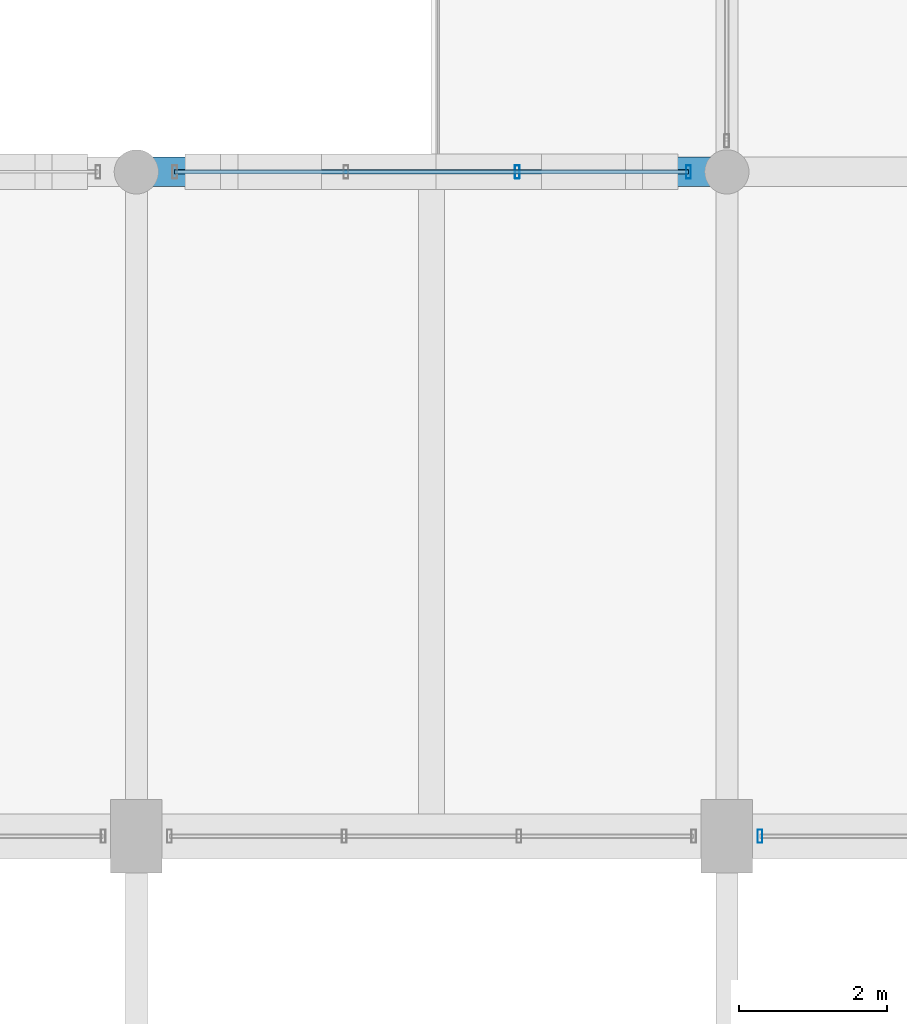
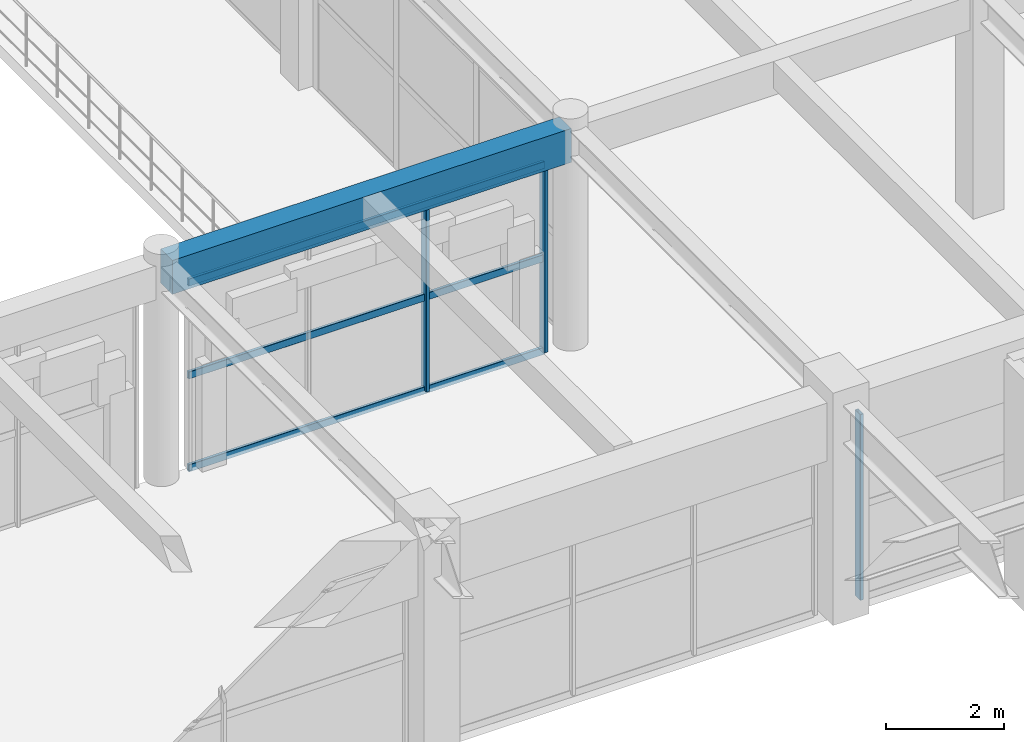
# One storey, part 56 of 144: 6 members, 1 beam, 2 elements without a shape of their own.
"""IFC4 building model written with IfcOpenShell, lengths in metres."""

from ifc_helpers import new_model, si_unit, direction, frame, origin, origin_2d, place, context, subcontext, project, spatial, rectangle, hollow_rectangle, extrude, material, material_profile, profile_set, type_object, element, aggregate, save


model = new_model("IFC4")

# Units and contexts
model_context = context("Model", 3, precision=1e-05, world=origin(), true_north=direction((0.0, 1.0)))
body_context = subcontext(model_context, "Body", "Model", "MODEL_VIEW")
ifc_project = project(units=[si_unit("LENGTHUNIT", "METRE"), si_unit("AREAUNIT", "SQUARE_METRE"), si_unit("VOLUMEUNIT", "CUBIC_METRE"), si_unit("PLANEANGLEUNIT", "RADIAN"), si_unit("MASSUNIT", "GRAM", prefix="KILO")], contexts=[model_context])

# Site, building, storey
site_placement = place(None, origin())
site = spatial("IfcSite", under=ifc_project, at=site_placement, CompositionType="ELEMENT")
building_placement = place(site_placement, origin())
building = spatial("IfcBuilding", under=site, at=building_placement, Name="Varnabhumi Central Station", CompositionType="ELEMENT")
storey_placement = place(building_placement, frame((0.0, 0.0, 4.800048828125)))
storey = spatial("IfcBuildingStorey", under=building, at=storey_placement, Name="L01", CompositionType="ELEMENT", Elevation=4.800048828125)

# Beam
ifc_material_1 = material(Name="Concrete M40", Category="concrete")
ifc_material_profile_1 = material_profile(ifc_material_1, rectangle(XDim=0.39990234375, YDim=0.699951171875, at=origin_2d()), Name="Concrete M40", Category="concrete")
ifc_profile_set_1 = profile_set([ifc_material_profile_1], Name="Concrete M40")
beam_type = type_object("IfcBeamType", Name="BM-RC-400x700", PredefinedType="BEAM", material=ifc_profile_set_1)
beam_placement = place(storey_placement, frame((72.10009765625, 89.0, 4.199951171875), z_axis=(1.0, 0.0, 0.0), x_axis=(0.0, 1.0, 0.0)))
element("IfcBeam", 1, at=beam_placement, inside=storey, type_object=beam_type, Name="Beam L01-L:10-11", PredefinedType="BEAM", context=body_context, shape_type="SweptSolid", body=[
    extrude(rectangle(XDim=0.39990234375, YDim=0.699951171875, at=origin_2d()), origin(), (0.0, 0.0, 1.0), 7.7998046875),
])

# Curtain wall, member
ifc_material_2 = material(Name="Anodised aluminium 6063-T6", Category="aluminium")
curtain_wall_type_1 = type_object("IfcCurtainWallType", Name="CW-SPINE-SCREEN-L0", PredefinedType="NOTDEFINED", material=ifc_material_2)
curtain_wall_1_placement = place(storey_placement, origin())
curtain_wall_1 = element("IfcCurtainWall", 2, at=curtain_wall_1_placement, inside=storey, type_object=curtain_wall_type_1, Name="Curtain Wall CW-NS110", PredefinedType="NOTDEFINED")
ifc_material_profile_2 = material_profile(ifc_material_2, hollow_rectangle(XDim=0.06494140625, YDim=0.179931640625, WallThickness=0.00390625, InnerFilletRadius=0.001953125, OuterFilletRadius=0.006103515625, at=origin_2d()), Name="Anodised aluminium 6063-T6", Category="aluminium")
ifc_profile_set_2 = profile_set([ifc_material_profile_2], Name="Anodised aluminium 6063-T6")
member_type_1 = type_object("IfcMemberType", Name="CW-MUL-180", PredefinedType="MULLION", material=ifc_profile_set_2)
member_1_placement = place(storey_placement, frame((80.449951171875, 80.0, 0.0), z_axis=(0.0, 0.0, 1.0), x_axis=(1.0, 0.0, 0.0)))
member_1 = element("IfcMember", 3, at=member_1_placement, type_object=member_type_1, Name="Curtain Wall Mullion CW-NS110-M1", PredefinedType="MULLION", context=body_context, shape_type="SweptSolid", body=[
    extrude(hollow_rectangle(XDim=0.06494140625, YDim=0.179931640625, WallThickness=0.00390625, InnerFilletRadius=0.001953125, OuterFilletRadius=0.006103515625, at=origin_2d()), origin(), (0.0, 0.0, 1.0), 3.83984375),
])
aggregate(curtain_wall_1, [member_1])

# Curtain wall, members
curtain_wall_type_2 = type_object("IfcCurtainWallType", Name="CW-PATIO-LOGGIA-L1", PredefinedType="NOTDEFINED", material=ifc_material_2)
curtain_wall_2_placement = place(storey_placement, origin())
curtain_wall_2 = element("IfcCurtainWall", 4, at=curtain_wall_2_placement, inside=storey, type_object=curtain_wall_type_2, Name="Curtain Wall CW-NP1S4", PredefinedType="NOTDEFINED")
member_2_placement = place(storey_placement, frame((77.159912109375, 89.0, 0.0), z_axis=(0.0, 0.0, 1.0), x_axis=(1.0, 0.0, 0.0)))
member_2 = element("IfcMember", 5, at=member_2_placement, type_object=member_type_1, Name="Curtain Wall Mullion CW-NP1S4-M3", PredefinedType="MULLION", context=body_context, shape_type="SweptSolid", body=[
    extrude(hollow_rectangle(XDim=0.06494140625, YDim=0.179931640625, WallThickness=0.00390625, InnerFilletRadius=0.001953125, OuterFilletRadius=0.006103515625, at=origin_2d()), origin(), (0.0, 0.0, 1.0), 3.83984375),
])
member_3_placement = place(storey_placement, frame((79.47998046875, 89.0, 0.0), z_axis=(0.0, 0.0, 1.0), x_axis=(1.0, 0.0, 0.0)))
member_3 = element("IfcMember", 6, at=member_3_placement, type_object=member_type_1, Name="Curtain Wall Mullion CW-NP1S4-M4", PredefinedType="MULLION", context=body_context, shape_type="SweptSolid", body=[
    extrude(hollow_rectangle(XDim=0.06494140625, YDim=0.179931640625, WallThickness=0.00390625, InnerFilletRadius=0.001953125, OuterFilletRadius=0.006103515625, at=origin_2d()), origin(), (0.0, 0.0, 1.0), 3.83984375),
])
ifc_material_profile_3 = material_profile(ifc_material_2, hollow_rectangle(XDim=0.06005859375, YDim=0.14990234375, WallThickness=0.00390625, InnerFilletRadius=0.001953125, OuterFilletRadius=0.006103515625, at=origin_2d()), Name="Anodised aluminium 6063-T6", Category="aluminium")
ifc_profile_set_3 = profile_set([ifc_material_profile_3], Name="Anodised aluminium 6063-T6")
member_type_2 = type_object("IfcMemberType", Name="CW-TR-150", PredefinedType="USERDEFINED", material=ifc_profile_set_3)
member_4_placement = place(storey_placement, frame((72.52001953125, 89.0, 0.0), z_axis=(1.0, 0.0, 0.0), x_axis=(0.0, 1.0, 0.0)))
member_4 = element("IfcMember", 7, at=member_4_placement, type_object=member_type_2, Name="Curtain Wall Transom CW-NP1S4-T1", ObjectType="TRANSOM", PredefinedType="USERDEFINED", context=body_context, shape_type="SweptSolid", body=[
    extrude(hollow_rectangle(XDim=0.06005859375, YDim=0.14990234375, WallThickness=0.00390625, InnerFilletRadius=0.001953125, OuterFilletRadius=0.006103515625, at=origin_2d()), origin(), (0.0, 0.0, 1.0), 6.9599609375),
])
member_5_placement = place(storey_placement, frame((72.52001953125, 89.0, 1.919921875), z_axis=(1.0, 0.0, 0.0), x_axis=(0.0, 1.0, 0.0)))
member_5 = element("IfcMember", 8, at=member_5_placement, type_object=member_type_2, Name="Curtain Wall Transom CW-NP1S4-T2", ObjectType="TRANSOM", PredefinedType="USERDEFINED", context=body_context, shape_type="SweptSolid", body=[
    extrude(hollow_rectangle(XDim=0.06005859375, YDim=0.14990234375, WallThickness=0.00390625, InnerFilletRadius=0.001953125, OuterFilletRadius=0.006103515625, at=origin_2d()), origin(), (0.0, 0.0, 1.0), 6.9599609375),
])
member_6_placement = place(storey_placement, frame((72.52001953125, 89.0, 3.83984375), z_axis=(1.0, 0.0, 0.0), x_axis=(0.0, 1.0, 0.0)))
member_6 = element("IfcMember", 9, at=member_6_placement, type_object=member_type_2, Name="Curtain Wall Transom CW-NP1S4-T3", ObjectType="TRANSOM", PredefinedType="USERDEFINED", context=body_context, shape_type="SweptSolid", body=[
    extrude(hollow_rectangle(XDim=0.06005859375, YDim=0.14990234375, WallThickness=0.00390625, InnerFilletRadius=0.001953125, OuterFilletRadius=0.006103515625, at=origin_2d()), origin(), (0.0, 0.0, 1.0), 6.9599609375),
])
aggregate(curtain_wall_2, [member_2, member_3, member_4, member_5, member_6])

save(model, "model.ifc")
